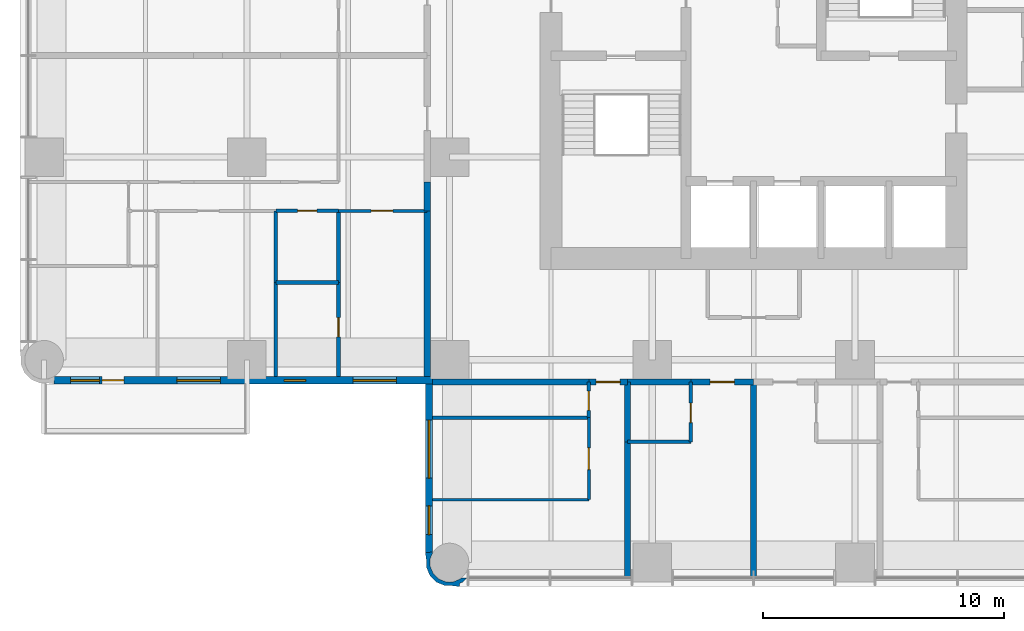
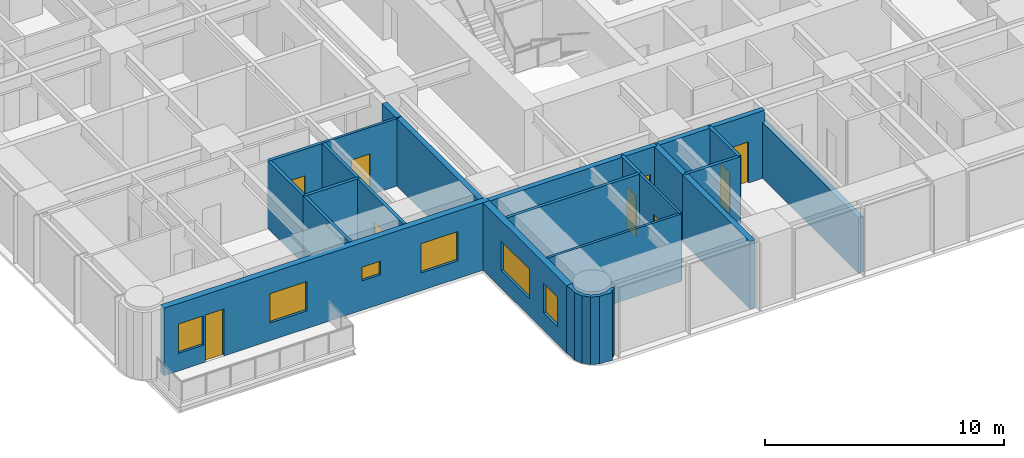
# One storey, part 6 of 14: 25 walls, 9 doors, 6 windows, 15 openings.
"""IFC4 building model written with IfcOpenShell, lengths in metres."""

from ifc_helpers import new_model, si_unit, direction, frame, frame_2d, origin, place, context, subcontext, project, spatial, polyline, rectangle, outline, extrude, material, layer, layer_set, type_object, element, fill, save


model = new_model("IFC4")

# Units and contexts
model_context = context("Model", 3, precision=1e-05, world=origin(), true_north=direction((0.0, 1.0)))
body_context = subcontext(model_context, "Body", "Model", "MODEL_VIEW")
ifc_project = project(units=[si_unit("LENGTHUNIT", "METRE"), si_unit("AREAUNIT", "SQUARE_METRE"), si_unit("VOLUMEUNIT", "CUBIC_METRE"), si_unit("PLANEANGLEUNIT", "RADIAN"), si_unit("MASSUNIT", "GRAM", prefix="KILO")], contexts=[model_context])

# Site, building, storey
site_placement = place(None, origin())
site = spatial("IfcSite", under=ifc_project, at=site_placement, CompositionType="ELEMENT")
building_placement = place(site_placement, origin())
building = spatial("IfcBuilding", under=site, at=building_placement, Name="Torre Alcanfor", CompositionType="ELEMENT")
storey_placement = place(building_placement, frame((0.0, 0.0, 155.699951171875)))
storey = spatial("IfcBuildingStorey", under=building, at=storey_placement, Name="L40", CompositionType="ELEMENT", Elevation=155.699951171875)

# Wall, opening, door
ifc_material_1 = material(Name="Concrete block masonry, hollow blocks NMX-C-404 9 MPa", Category="masonry")
ifc_layer_1 = layer(ifc_material_1, 0.25)
ifc_layer_set_1 = layer_set([ifc_layer_1], Name="Apartment entrance wall 250 EI 60")
wall_type_1 = type_object("IfcWallType", Name="Apartment entrance wall 250 EI 60", PredefinedType="PARTITIONING", material=ifc_layer_set_1)
wall_1_placement = place(storey_placement, frame((29.39990234375, 15.875, 0.0), z_axis=(0.0, 0.0, 1.0), x_axis=(-1.0, 0.0, 0.0)))
wall_1 = element("IfcWall", 1, at=wall_1_placement, inside=storey, type_object=wall_type_1, Name="Partition L40-CORR / L40-S2A-STUDIO", PredefinedType="PARTITIONING", context=body_context, shape_type="SweptSolid", body=[
    extrude(rectangle(XDim=2.599853515625, YDim=0.25, at=frame_2d((1.2998046875, 0.0))), origin(), (0.0, 0.0, 1.0), 3.449951171875),
])
opening_1_placement = place(wall_1_placement, frame((0.800048828125, 0.0, 0.0)))
opening_1 = element("IfcOpeningElement", 2, at=opening_1_placement, cuts=wall_1, Name="Opening D-A1", PredefinedType="OPENING", context=body_context, shape_type="SweptSolid", body=[
    extrude(rectangle(XDim=1.0, YDim=2.10009765625, at=frame_2d((0.5, 1.050048828125))), frame((0.0, 0.135009765625, 0.0), z_axis=(0.0, -1.0, 0.0), x_axis=(1.0, 0.0, 0.0)), (0.0, 0.0, 1.0), 0.27001953125),
])
ifc_material_2 = material(Name="Galvanised steel sheet ASTM A653", Category="steel")
door_type_1 = type_object("IfcDoorType", Name="Apartment entrance door FD60 1000x2100", OperationType="SINGLE_SWING_LEFT", PredefinedType="DOOR", material=ifc_material_2)
door_1_placement = place(opening_1_placement, origin())
door_1 = element("IfcDoor", 3, at=door_1_placement, inside=storey, type_object=door_type_1, Name="Apartment entrance L40-S2A", OperationType="SINGLE_SWING_LEFT", OverallHeight=2.10009765625, OverallWidth=1.0, PredefinedType="DOOR", context=body_context, shape_type="SweptSolid", body=[
    extrude(rectangle(XDim=1.0, YDim=2.10009765625, at=frame_2d((0.5, 1.050048828125))), frame((0.0, 0.02490234375, 0.0), z_axis=(0.0, -1.0, 0.0), x_axis=(1.0, 0.0, 0.0)), (0.0, 0.0, 1.0), 0.050048828125),
])
fill(opening_1, door_1)

# Wall
wall_2_placement = place(storey_placement, frame((26.800048828125, 15.875, 0.0), z_axis=(0.0, 0.0, 1.0), x_axis=(-1.0, 0.0, 0.0)))
element("IfcWall", 4, at=wall_2_placement, inside=storey, type_object=wall_type_1, Name="Partition L40-CORR / L40-S2A-BATH", PredefinedType="PARTITIONING", context=body_context, shape_type="SweptSolid", body=[
    extrude(rectangle(XDim=2.629150390625, YDim=0.25, at=frame_2d((1.314453125, 0.0))), origin(), (0.0, 0.0, 1.0), 3.449951171875),
])

# Wall, opening, door
wall_3_placement = place(storey_placement, frame((24.1708984375, 15.875, 0.0), z_axis=(0.0, 0.0, 1.0), x_axis=(-1.0, 0.0, 0.0)))
wall_3 = element("IfcWall", 5, at=wall_3_placement, inside=storey, type_object=wall_type_1, Name="Partition L40-CORR / L40-S2B-LIVING", PredefinedType="PARTITIONING", context=body_context, shape_type="SweptSolid", body=[
    extrude(rectangle(XDim=1.599853515625, YDim=0.25, at=frame_2d((0.7998046875, 0.0))), origin(), (0.0, 0.0, 1.0), 3.449951171875),
])
opening_2_placement = place(wall_3_placement, frame((0.300048828125, 0.0, 0.0)))
opening_2 = element("IfcOpeningElement", 6, at=opening_2_placement, cuts=wall_3, Name="Opening D-A1", PredefinedType="OPENING", context=body_context, shape_type="SweptSolid", body=[
    extrude(rectangle(XDim=1.0, YDim=2.10009765625, at=frame_2d((0.5, 1.050048828125))), frame((0.0, 0.135009765625, 0.0), z_axis=(0.0, -1.0, 0.0), x_axis=(1.0, 0.0, 0.0)), (0.0, 0.0, 1.0), 0.27001953125),
])
door_2_placement = place(opening_2_placement, origin())
door_2 = element("IfcDoor", 7, at=door_2_placement, inside=storey, type_object=door_type_1, Name="Apartment entrance L40-S2B", OperationType="SINGLE_SWING_LEFT", OverallHeight=2.10009765625, OverallWidth=1.0, PredefinedType="DOOR", context=body_context, shape_type="SweptSolid", body=[
    extrude(rectangle(XDim=1.0, YDim=2.10009765625, at=frame_2d((0.5, 1.050048828125))), frame((0.0, 0.02490234375, 0.0), z_axis=(0.0, -1.0, 0.0), x_axis=(1.0, 0.0, 0.0)), (0.0, 0.0, 1.0), 0.050048828125),
])
fill(opening_2, door_2)

# Walls
wall_4_placement = place(storey_placement, frame((22.571044921875, 15.875, 0.0), z_axis=(0.0, 0.0, 1.0), x_axis=(-1.0, 0.0, 0.0)))
element("IfcWall", 8, at=wall_4_placement, inside=storey, type_object=wall_type_1, Name="Partition L40-CORR / L40-S2B-BATH", PredefinedType="PARTITIONING", context=body_context, shape_type="SweptSolid", body=[
    extrude(rectangle(XDim=6.470947265625, YDim=0.25, at=frame_2d((3.2353515625, 0.0))), origin(), (0.0, 0.0, 1.0), 3.449951171875),
])
wall_5_placement = place(storey_placement, frame((15.875, 22.970947265625, 0.0), z_axis=(0.0, 0.0, 1.0), x_axis=(0.0, 1.0, 0.0)))
element("IfcWall", 9, at=wall_5_placement, inside=storey, type_object=wall_type_1, Name="Partition L40-CORR / L40-W1-HALL", PredefinedType="PARTITIONING", context=body_context, shape_type="SweptSolid", body=[
    extrude(rectangle(XDim=1.199951171875, YDim=0.25, at=frame_2d((0.60009765625, 0.0))), origin(), (0.0, 0.0, 1.0), 3.449951171875),
])
wall_6_placement = place(storey_placement, frame((15.875, 16.10009765625, 0.0), z_axis=(0.0, 0.0, 1.0), x_axis=(0.0, 1.0, 0.0)))
element("IfcWall", 10, at=wall_6_placement, inside=storey, type_object=wall_type_1, Name="Partition L40-CORR / L40-W1-SERV", PredefinedType="PARTITIONING", context=body_context, shape_type="SweptSolid", body=[
    extrude(rectangle(XDim=6.870849609375, YDim=0.25, at=frame_2d((3.435546875, 0.0))), origin(), (0.0, 0.0, 1.0), 3.449951171875),
])
ifc_material_3 = material(Name="Gypsum board on steel studs", Category="steel")
ifc_layer_2 = layer(ifc_material_3, 0.1201171875)
ifc_layer_set_2 = layer_set([ifc_layer_2], Name="Apartment partition 120")
wall_type_2 = type_object("IfcWallType", Name="Apartment partition 120", PredefinedType="PARTITIONING", material=ifc_layer_set_2)
wall_7_placement = place(storey_placement, frame((16.10009765625, 11.0, 0.0), z_axis=(0.0, 0.0, 1.0), x_axis=(1.0, 0.0, 0.0)))
element("IfcWall", 11, at=wall_7_placement, inside=storey, type_object=wall_type_2, Name="Partition L40-S2B-LIVING / L40-S2B-MASTER", PredefinedType="PARTITIONING", context=body_context, shape_type="SweptSolid", body=[
    extrude(rectangle(XDim=6.470947265625, YDim=0.1201171875, at=frame_2d((3.2353515625, 0.0))), origin(), (0.0, 0.0, 1.0), 3.449951171875),
])

# Wall, opening, door
wall_8_placement = place(storey_placement, frame((22.571044921875, 11.0, 0.0), z_axis=(0.0, 0.0, 1.0), x_axis=(0.0, 1.0, 0.0)))
wall_8 = element("IfcWall", 12, at=wall_8_placement, inside=storey, type_object=wall_type_2, Name="Partition L40-S2B-LIVING / L40-S2B-MASTER", PredefinedType="PARTITIONING", context=body_context, shape_type="SweptSolid", body=[
    extrude(rectangle(XDim=3.39990234375, YDim=0.1201171875, at=frame_2d((1.699951171875, 0.0))), origin(), (0.0, 0.0, 1.0), 3.449951171875),
])
opening_3_placement = place(wall_8_placement, frame((1.25, 0.0, 0.0)))
opening_3 = element("IfcOpeningElement", 13, at=opening_3_placement, cuts=wall_8, Name="Opening D-R1", PredefinedType="OPENING", context=body_context, shape_type="SweptSolid", body=[
    extrude(rectangle(XDim=0.89990234375, YDim=2.10009765625, at=frame_2d((0.449951171875, 1.050048828125))), frame((0.0, 0.070068359375, 0.0), z_axis=(0.0, -1.0, 0.0), x_axis=(1.0, 0.0, 0.0)), (0.0, 0.0, 1.0), 0.14013671875),
])
ifc_material_4 = material(Name="Timber", Category="wood")
door_type_2 = type_object("IfcDoorType", Name="Internal door 900x2100", OperationType="SINGLE_SWING_LEFT", PredefinedType="DOOR", material=ifc_material_4)
door_3_placement = place(opening_3_placement, origin())
door_3 = element("IfcDoor", 14, at=door_3_placement, inside=storey, type_object=door_type_2, Name="Door L40-S2B master", OperationType="SINGLE_SWING_LEFT", OverallHeight=2.10009765625, OverallWidth=0.89990234375, PredefinedType="DOOR", context=body_context, shape_type="SweptSolid", body=[
    extrude(rectangle(XDim=0.89990234375, YDim=2.10009765625, at=frame_2d((0.449951171875, 1.050048828125))), frame((0.0, 0.02490234375, 0.0), z_axis=(0.0, -1.0, 0.0), x_axis=(1.0, 0.0, 0.0)), (0.0, 0.0, 1.0), 0.050048828125),
])
fill(opening_3, door_3)

wall_9_placement = place(storey_placement, frame((12.199951171875, 22.970947265625, 0.0), z_axis=(0.0, 0.0, 1.0), x_axis=(1.0, 0.0, 0.0)))
wall_9 = element("IfcWall", 15, at=wall_9_placement, inside=storey, type_object=wall_type_2, Name="Partition L40-W1-HALL / L40-W1-SERV", PredefinedType="PARTITIONING", context=body_context, shape_type="SweptSolid", body=[
    extrude(rectangle(XDim=3.675048828125, YDim=0.1201171875, at=frame_2d((1.83740234375, 0.0))), origin(), (0.0, 0.0, 1.0), 3.449951171875),
])
opening_4_placement = place(wall_9_placement, frame((1.35009765625, 0.0, 0.0)))
opening_4 = element("IfcOpeningElement", 16, at=opening_4_placement, cuts=wall_9, Name="Opening D-R1", PredefinedType="OPENING", context=body_context, shape_type="SweptSolid", body=[
    extrude(rectangle(XDim=0.89990234375, YDim=2.10009765625, at=frame_2d((0.449951171875, 1.050048828125))), frame((0.0, 0.070068359375, 0.0), z_axis=(0.0, -1.0, 0.0), x_axis=(1.0, 0.0, 0.0)), (0.0, 0.0, 1.0), 0.14013671875),
])
door_4_placement = place(opening_4_placement, frame((0.89990234375, 0.0, 0.0), z_axis=(0.0, 0.0, 1.0), x_axis=(-1.0, 0.0, 0.0)))
door_4 = element("IfcDoor", 17, at=door_4_placement, inside=storey, type_object=door_type_2, Name="Door L40-W1 serv", OperationType="SINGLE_SWING_RIGHT", OverallHeight=2.10009765625, OverallWidth=0.89990234375, PredefinedType="DOOR", context=body_context, shape_type="SweptSolid", body=[
    extrude(rectangle(XDim=0.89990234375, YDim=2.10009765625, at=frame_2d((0.449951171875, 1.050048828125))), frame((0.0, 0.025146484375, 0.0), z_axis=(0.0, -1.0, 0.0), x_axis=(1.0, 0.0, 0.0)), (0.0, 0.0, 1.0), 0.050048828125),
])
fill(opening_4, door_4)

# Wall, openings, door, windows
ifc_material_5 = material(Name="Limestone cladding", Category="masonry")
ifc_layer_3 = layer(ifc_material_5, 0.0400390625, Name="Facing")
ifc_material_6 = material(Name="Ventilated air cavity")
ifc_layer_4 = layer(ifc_material_6, 0.02001953125, ventilated=True, Name="Ventilated joint")
ifc_material_7 = material(Name="Mineral wool insulation", Category="insulation")
ifc_layer_5 = layer(ifc_material_7, 0.10009765625, Name="Insulation")
ifc_material_8 = material(Name="Concrete f'c 35 MPa", Category="concrete")
ifc_layer_6 = layer(ifc_material_8, 0.139892578125, Name="Backing")
ifc_layer_set_3 = layer_set([ifc_layer_3, ifc_layer_4, ifc_layer_5, ifc_layer_6], Name="External wall stone-clad 300")
wall_type_3 = type_object("IfcWallType", Name="External wall stone-clad 300", PredefinedType="SOLIDWALL", material=ifc_layer_set_3)
wall_10_placement = place(storey_placement, frame((0.39990234375, 15.949951171875, 0.0), z_axis=(0.0, 0.0, 1.0), x_axis=(1.0, 0.0, 0.0)))
wall_10 = element("IfcWall", 18, at=wall_10_placement, inside=storey, type_object=wall_type_3, Name="External wall L40 3", PredefinedType="SOLIDWALL", context=body_context, shape_type="SweptSolid", body=[
    extrude(rectangle(XDim=15.7001953125, YDim=0.300048828125, at=frame_2d((7.85009765625, 0.0))), origin(), (0.0, 0.0, 1.0), 3.449951171875),
])
opening_5_placement = place(wall_10_placement, frame((12.39990234375, 0.0, 0.89990234375)))
opening_5 = element("IfcOpeningElement", 19, at=opening_5_placement, cuts=wall_10, Name="Opening W2", PredefinedType="OPENING", context=body_context, shape_type="SweptSolid", body=[
    extrude(rectangle(XDim=1.800048828125, YDim=1.5, at=frame_2d((0.89990234375, 0.75))), frame((0.0, 0.159912109375, 0.0), z_axis=(0.0, -1.0, 0.0), x_axis=(1.0, 0.0, 0.0)), (0.0, 0.0, 1.0), 0.320068359375),
])
opening_6_placement = place(wall_10_placement, frame((9.550048828125, 0.0, 1.5)))
opening_6 = element("IfcOpeningElement", 20, at=opening_6_placement, cuts=wall_10, Name="Opening W3", PredefinedType="OPENING", context=body_context, shape_type="SweptSolid", body=[
    extrude(rectangle(XDim=0.89990234375, YDim=0.699951171875, at=frame_2d((0.449951171875, 0.35009765625))), frame((0.0, 0.159912109375, 0.0), z_axis=(0.0, -1.0, 0.0), x_axis=(1.0, 0.0, 0.0)), (0.0, 0.0, 1.0), 0.320068359375),
])
opening_7_placement = place(wall_10_placement, frame((5.10009765625, 0.0, 0.89990234375)))
opening_7 = element("IfcOpeningElement", 21, at=opening_7_placement, cuts=wall_10, Name="Opening W2", PredefinedType="OPENING", context=body_context, shape_type="SweptSolid", body=[
    extrude(rectangle(XDim=1.800048828125, YDim=1.5, at=frame_2d((0.89990234375, 0.75))), frame((0.0, 0.159912109375, 0.0), z_axis=(0.0, -1.0, 0.0), x_axis=(1.0, 0.0, 0.0)), (0.0, 0.0, 1.0), 0.320068359375),
])
opening_8_placement = place(wall_10_placement, frame((2.0, 0.0, 0.0)))
opening_8 = element("IfcOpeningElement", 22, at=opening_8_placement, cuts=wall_10, Name="Opening D-B1", PredefinedType="OPENING", context=body_context, shape_type="SweptSolid", body=[
    extrude(rectangle(XDim=0.89990234375, YDim=2.39990234375, at=frame_2d((0.449951171875, 1.199951171875))), frame((0.0, 0.159912109375, 0.0), z_axis=(0.0, -1.0, 0.0), x_axis=(1.0, 0.0, 0.0)), (0.0, 0.0, 1.0), 0.320068359375),
])
opening_9_placement = place(wall_10_placement, frame((0.699951171875, 0.0, 0.89990234375)))
opening_9 = element("IfcOpeningElement", 23, at=opening_9_placement, cuts=wall_10, Name="Opening W4", PredefinedType="OPENING", context=body_context, shape_type="SweptSolid", body=[
    extrude(rectangle(XDim=1.199951171875, YDim=1.5, at=frame_2d((0.60009765625, 0.75))), frame((0.0, 0.159912109375, 0.0), z_axis=(0.0, -1.0, 0.0), x_axis=(1.0, 0.0, 0.0)), (0.0, 0.0, 1.0), 0.320068359375),
])
ifc_material_9 = material(Name="Aluminium and glass", Category="aluminium")
door_type_3 = type_object("IfcDoorType", Name="Balcony door glazed 900x2400", OperationType="SINGLE_SWING_LEFT", PredefinedType="DOOR", material=ifc_material_9)
door_5_placement = place(opening_8_placement, origin())
door_5 = element("IfcDoor", 24, at=door_5_placement, inside=storey, type_object=door_type_3, Name="Balcony door L40-W1", OperationType="SINGLE_SWING_RIGHT", OverallHeight=2.39990234375, OverallWidth=0.89990234375, PredefinedType="DOOR", context=body_context, shape_type="SweptSolid", body=[
    extrude(rectangle(XDim=0.89990234375, YDim=2.39990234375, at=frame_2d((0.449951171875, 1.199951171875))), frame((0.0, 0.02490234375, 0.0), z_axis=(0.0, -1.0, 0.0), x_axis=(1.0, 0.0, 0.0)), (0.0, 0.0, 1.0), 0.050048828125),
])
fill(opening_8, door_5)
ifc_material_10 = material(Name="Aluminium frame with clear double glazing", Category="aluminium")
window_type_1 = type_object("IfcWindowType", Name="Window bathroom 900x700", PartitioningType="SINGLE_PANEL", PredefinedType="WINDOW", material=ifc_material_10)
window_1_placement = place(opening_6_placement, origin())
window_1 = element("IfcWindow", 25, at=window_1_placement, inside=storey, type_object=window_type_1, Name="Window W3 L40-W1", OverallHeight=0.699951171875, OverallWidth=0.89990234375, PartitioningType="SINGLE_PANEL", PredefinedType="WINDOW", context=body_context, shape_type="SweptSolid", body=[
    extrude(rectangle(XDim=0.89990234375, YDim=0.699951171875, at=frame_2d((0.449951171875, 0.35009765625))), frame((0.0, 0.030029296875, 0.0), z_axis=(0.0, -1.0, 0.0), x_axis=(1.0, 0.0, 0.0)), (0.0, 0.0, 1.0), 0.06005859375),
])
fill(opening_6, window_1)
ifc_material_11 = material(Name="Aluminium frame with clear double glazing", Category="aluminium")
window_type_2 = type_object("IfcWindowType", Name="Window bedroom 1200x1500", PartitioningType="SINGLE_PANEL", PredefinedType="WINDOW", material=ifc_material_11)
window_2_placement = place(opening_9_placement, origin())
window_2 = element("IfcWindow", 26, at=window_2_placement, inside=storey, type_object=window_type_2, Name="Window W4 L40-W1", OverallHeight=1.5, OverallWidth=1.199951171875, PartitioningType="SINGLE_PANEL", PredefinedType="WINDOW", context=body_context, shape_type="SweptSolid", body=[
    extrude(rectangle(XDim=1.199951171875, YDim=1.5, at=frame_2d((0.60009765625, 0.75))), frame((0.0, 0.030029296875, 0.0), z_axis=(0.0, -1.0, 0.0), x_axis=(1.0, 0.0, 0.0)), (0.0, 0.0, 1.0), 0.06005859375),
])
fill(opening_9, window_2)
ifc_material_12 = material(Name="Aluminium frame with clear double glazing", Category="aluminium")
window_type_3 = type_object("IfcWindowType", Name="Window bedroom 1800x1500", PartitioningType="SINGLE_PANEL", PredefinedType="WINDOW", material=ifc_material_12)
window_3_placement = place(opening_5_placement, origin())
window_3 = element("IfcWindow", 27, at=window_3_placement, inside=storey, type_object=window_type_3, Name="Window W2 L40-W1", OverallHeight=1.5, OverallWidth=1.800048828125, PartitioningType="SINGLE_PANEL", PredefinedType="WINDOW", context=body_context, shape_type="SweptSolid", body=[
    extrude(rectangle(XDim=1.800048828125, YDim=1.5, at=frame_2d((0.89990234375, 0.75))), frame((0.0, 0.030029296875, 0.0), z_axis=(0.0, -1.0, 0.0), x_axis=(1.0, 0.0, 0.0)), (0.0, 0.0, 1.0), 0.06005859375),
])
fill(opening_5, window_3)
window_4_placement = place(opening_7_placement, origin())
window_4 = element("IfcWindow", 28, at=window_4_placement, inside=storey, type_object=window_type_3, Name="Window W2 L40-W1", OverallHeight=1.5, OverallWidth=1.800048828125, PartitioningType="SINGLE_PANEL", PredefinedType="WINDOW", context=body_context, shape_type="SweptSolid", body=[
    extrude(rectangle(XDim=1.800048828125, YDim=1.5, at=frame_2d((0.89990234375, 0.75))), frame((0.0, 0.030029296875, 0.0), z_axis=(0.0, -1.0, 0.0), x_axis=(1.0, 0.0, 0.0)), (0.0, 0.0, 1.0), 0.06005859375),
])
fill(opening_7, window_4)

# Wall, openings, windows
wall_11_placement = place(storey_placement, frame((15.949951171875, 15.800048828125, 0.0), z_axis=(0.0, 0.0, 1.0), x_axis=(0.0, -1.0, 0.0)))
wall_11 = element("IfcWall", 29, at=wall_11_placement, inside=storey, type_object=wall_type_3, Name="External wall L40 4", PredefinedType="SOLIDWALL", context=body_context, shape_type="SweptSolid", body=[
    extrude(rectangle(XDim=7.0, YDim=0.300048828125, at=frame_2d((3.5, 0.0))), origin(), (0.0, 0.0, 1.0), 3.449951171875),
])
opening_10_placement = place(wall_11_placement, frame((1.5, 0.0, 0.89990234375)))
opening_10 = element("IfcOpeningElement", 30, at=opening_10_placement, cuts=wall_11, Name="Opening W1", PredefinedType="OPENING", context=body_context, shape_type="SweptSolid", body=[
    extrude(rectangle(XDim=2.39990234375, YDim=1.5, at=frame_2d((1.199951171875, 0.75))), frame((0.0, 0.159912109375, 0.0), z_axis=(0.0, -1.0, 0.0), x_axis=(1.0, 0.0, 0.0)), (0.0, 0.0, 1.0), 0.320068359375),
])
opening_11_placement = place(wall_11_placement, frame((5.050048828125, 0.0, 0.89990234375)))
opening_11 = element("IfcOpeningElement", 31, at=opening_11_placement, cuts=wall_11, Name="Opening W4", PredefinedType="OPENING", context=body_context, shape_type="SweptSolid", body=[
    extrude(rectangle(XDim=1.199951171875, YDim=1.5, at=frame_2d((0.60009765625, 0.75))), frame((0.0, 0.159912109375, 0.0), z_axis=(0.0, -1.0, 0.0), x_axis=(1.0, 0.0, 0.0)), (0.0, 0.0, 1.0), 0.320068359375),
])
window_5_placement = place(opening_11_placement, origin())
window_5 = element("IfcWindow", 32, at=window_5_placement, inside=storey, type_object=window_type_2, Name="Window W4 L40-S2", OverallHeight=1.5, OverallWidth=1.199951171875, PartitioningType="SINGLE_PANEL", PredefinedType="WINDOW", context=body_context, shape_type="SweptSolid", body=[
    extrude(rectangle(XDim=1.199951171875, YDim=1.5, at=frame_2d((0.60009765625, 0.75))), frame((0.0, 0.030029296875, 0.0), z_axis=(0.0, -1.0, 0.0), x_axis=(1.0, 0.0, 0.0)), (0.0, 0.0, 1.0), 0.06005859375),
])
fill(opening_11, window_5)
ifc_material_13 = material(Name="Aluminium frame with clear double glazing", Category="aluminium")
window_type_4 = type_object("IfcWindowType", Name="Window bedroom 2400x1500", PartitioningType="SINGLE_PANEL", PredefinedType="WINDOW", material=ifc_material_13)
window_6_placement = place(opening_10_placement, origin())
window_6 = element("IfcWindow", 33, at=window_6_placement, inside=storey, type_object=window_type_4, Name="Window W1 L40-S2", OverallHeight=1.5, OverallWidth=2.39990234375, PartitioningType="SINGLE_PANEL", PredefinedType="WINDOW", context=body_context, shape_type="SweptSolid", body=[
    extrude(rectangle(XDim=2.39990234375, YDim=1.5, at=frame_2d((1.199951171875, 0.75))), frame((0.0, 0.030029296875, 0.0), z_axis=(0.0, -1.0, 0.0), x_axis=(1.0, 0.0, 0.0)), (0.0, 0.0, 1.0), 0.06005859375),
])
fill(opening_10, window_6)

# Walls
ifc_material_14 = material(Name="Concrete block masonry, hollow blocks NMX-C-404 9 MPa", Category="masonry")
ifc_layer_7 = layer(ifc_material_14, 0.25)
ifc_layer_set_4 = layer_set([ifc_layer_7], Name="Party wall 250 EI 60")
wall_type_4 = type_object("IfcWallType", Name="Party wall 250 EI 60", PredefinedType="PARTITIONING", material=ifc_layer_set_4)
wall_12_placement = place(storey_placement, frame((29.39990234375, 7.75, 0.0), z_axis=(0.0, 0.0, 1.0), x_axis=(0.0, 1.0, 0.0)))
element("IfcWall", 34, at=wall_12_placement, inside=storey, type_object=wall_type_4, Name="Partition L40-S1A-STUDIO / L40-S2A-STUDIO", PredefinedType="PARTITIONING", context=body_context, shape_type="SweptSolid", body=[
    extrude(rectangle(XDim=8.125, YDim=0.25, at=frame_2d((4.0625, 0.0))), origin(), (0.0, 0.0, 1.0), 2.84814453125),
])
wall_13_placement = place(storey_placement, frame((24.1708984375, 7.75, 0.0), z_axis=(0.0, 0.0, 1.0), x_axis=(0.0, 1.0, 0.0)))
element("IfcWall", 35, at=wall_13_placement, inside=storey, type_object=wall_type_4, Name="Partition L40-S2A-STUDIO / L40-S2B-LIVING", PredefinedType="PARTITIONING", context=body_context, shape_type="SweptSolid", body=[
    extrude(rectangle(XDim=5.64990234375, YDim=0.25, at=frame_2d((2.824951171875, 0.0))), origin(), (0.0, 0.0, 1.0), 3.449951171875),
])
wall_14_placement = place(storey_placement, frame((24.1708984375, 13.39990234375, 0.0), z_axis=(0.0, 0.0, 1.0), x_axis=(0.0, 1.0, 0.0)))
element("IfcWall", 36, at=wall_14_placement, inside=storey, type_object=wall_type_4, Name="Partition L40-S2A-BATH / L40-S2B-LIVING", PredefinedType="PARTITIONING", context=body_context, shape_type="SweptSolid", body=[
    extrude(rectangle(XDim=2.47509765625, YDim=0.25, at=frame_2d((1.237548828125, 0.0))), origin(), (0.0, 0.0, 1.0), 3.449951171875),
])
ifc_layer_8 = layer(ifc_material_5, 0.0400390625, Name="Facing")
ifc_layer_9 = layer(ifc_material_6, 0.02001953125, ventilated=True, Name="Ventilated joint")
ifc_layer_10 = layer(ifc_material_7, 0.10009765625, Name="Insulation")
ifc_layer_11 = layer(ifc_material_8, 0.139892578125, Name="Backing")
ifc_layer_set_5 = layer_set([ifc_layer_8, ifc_layer_9, ifc_layer_10, ifc_layer_11], Name="Rounded corner pier stone-clad 300")
wall_type_5 = type_object("IfcWallType", Name="Rounded corner pier stone-clad 300", PredefinedType="SOLIDWALL", material=ifc_layer_set_5)
wall_15_placement = place(storey_placement, frame((15.982940512, 8.726823795, 0.0), z_axis=(0.0, 0.0, 1.0), x_axis=(-0.343276641956, -0.93923434088, 0.0)))
element("IfcWall", 37, at=wall_15_placement, inside=storey, type_object=wall_type_5, Name="Corner pier L40 15", PredefinedType="SOLIDWALL", context=body_context, shape_type="SweptSolid", body=[
    extrude(outline(polyline([(0.8285188621172053, 1.5985593448955209), (0.6965961152022397, 1.5690588556644411), (0.6041961706613557, 1.669674810951586), (0.3940973255728224, 1.767303623446145), (0.47128428534856764, 1.55611347990365), (0.5085447362659081, 1.5387992791780876), (0.7240402358503313, 1.3040772160031127), (0.8334093808094493, 1.0048338530031606), (0.8200582319080854, 0.6864716314609828), (0.6857640531711582, 0.3974683020769049), (0.4510419899961833, 0.18197280249248177), (0.15179862699623123, 0.07260365753336384), (-0.11622928371084919, 0.08407628105020303), (-0.1273371975026375, 0.0781969477675098), (-0.14614022874094865, 0.07132471030647711), (-0.0059930226407584886, -0.19691459363495123), (0.26574754989690047, -0.054967852634112954), (0.535410534485363, 0.043590089489965705), (0.8166395849446566, 0.30181686768145743), (0.9775598034528271, 0.6481198820896807), (0.9938114202888776, 1.0296668379252687), (0.8951696703908839, 1.299559127772735), (0.8285188621172053, 1.5985593448955209)])), origin(), (0.0, 0.0, 1.0), 3.449951171875),
])
ifc_material_15 = material(Name="Cement board on steel studs", Category="steel")
ifc_layer_12 = layer(ifc_material_15, 0.14990234375)
ifc_layer_set_6 = layer_set([ifc_layer_12], Name="Wet area partition 150")
wall_type_6 = type_object("IfcWallType", Name="Wet area partition 150", PredefinedType="PARTITIONING", material=ifc_layer_set_6)
wall_16_placement = place(storey_placement, frame((24.1708984375, 13.39990234375, 0.0), z_axis=(0.0, 0.0, 1.0), x_axis=(1.0, 0.0, 0.0)))
element("IfcWall", 38, at=wall_16_placement, inside=storey, type_object=wall_type_6, Name="Partition L40-S2A-STUDIO / L40-S2A-BATH", PredefinedType="PARTITIONING", context=body_context, shape_type="SweptSolid", body=[
    extrude(rectangle(XDim=2.629150390625, YDim=0.14990234375, at=frame_2d((1.314453125, 0.0))), origin(), (0.0, 0.0, 1.0), 3.449951171875),
])

# Wall, opening, door
wall_17_placement = place(storey_placement, frame((26.800048828125, 13.39990234375, 0.0), z_axis=(0.0, 0.0, 1.0), x_axis=(0.0, 1.0, 0.0)))
wall_17 = element("IfcWall", 39, at=wall_17_placement, inside=storey, type_object=wall_type_6, Name="Partition L40-S2A-STUDIO / L40-S2A-BATH", PredefinedType="PARTITIONING", context=body_context, shape_type="SweptSolid", body=[
    extrude(rectangle(XDim=2.47509765625, YDim=0.14990234375, at=frame_2d((1.237548828125, 0.0))), origin(), (0.0, 0.0, 1.0), 3.449951171875),
])
opening_12_placement = place(wall_17_placement, frame((0.800048828125, 0.0, 0.0)))
opening_12 = element("IfcOpeningElement", 40, at=opening_12_placement, cuts=wall_17, Name="Opening D-R2", PredefinedType="OPENING", context=body_context, shape_type="SweptSolid", body=[
    extrude(rectangle(XDim=0.800048828125, YDim=2.10009765625, at=frame_2d((0.39990234375, 1.050048828125))), frame((0.0, 0.0849609375, 0.0), z_axis=(0.0, -1.0, 0.0), x_axis=(1.0, 0.0, 0.0)), (0.0, 0.0, 1.0), 0.169921875),
])
ifc_material_16 = material(Name="Timber", Category="wood")
door_type_4 = type_object("IfcDoorType", Name="Bathroom door 800x2100", OperationType="SINGLE_SWING_LEFT", PredefinedType="DOOR", material=ifc_material_16)
door_6_placement = place(opening_12_placement, origin())
door_6 = element("IfcDoor", 41, at=door_6_placement, inside=storey, type_object=door_type_4, Name="Door L40-S2A bath", OperationType="SINGLE_SWING_LEFT", OverallHeight=2.10009765625, OverallWidth=0.800048828125, PredefinedType="DOOR", context=body_context, shape_type="SweptSolid", body=[
    extrude(rectangle(XDim=0.800048828125, YDim=2.10009765625, at=frame_2d((0.39990234375, 1.050048828125))), frame((0.0, 0.02490234375, 0.0), z_axis=(0.0, -1.0, 0.0), x_axis=(1.0, 0.0, 0.0)), (0.0, 0.0, 1.0), 0.050048828125),
])
fill(opening_12, door_6)

wall_18_placement = place(storey_placement, frame((22.571044921875, 14.39990234375, 0.0), z_axis=(0.0, 0.0, 1.0), x_axis=(0.0, 1.0, 0.0)))
wall_18 = element("IfcWall", 42, at=wall_18_placement, inside=storey, type_object=wall_type_6, Name="Partition L40-S2B-LIVING / L40-S2B-BATH", PredefinedType="PARTITIONING", context=body_context, shape_type="SweptSolid", body=[
    extrude(rectangle(XDim=1.47509765625, YDim=0.14990234375, at=frame_2d((0.737548828125, 0.0))), origin(), (0.0, 0.0, 1.0), 3.449951171875),
])
opening_13_placement = place(wall_18_placement, frame((0.300048828125, 0.0, 0.0)))
opening_13 = element("IfcOpeningElement", 43, at=opening_13_placement, cuts=wall_18, Name="Opening D-R2", PredefinedType="OPENING", context=body_context, shape_type="SweptSolid", body=[
    extrude(rectangle(XDim=0.800048828125, YDim=2.10009765625, at=frame_2d((0.39990234375, 1.050048828125))), frame((0.0, 0.0849609375, 0.0), z_axis=(0.0, -1.0, 0.0), x_axis=(1.0, 0.0, 0.0)), (0.0, 0.0, 1.0), 0.169921875),
])
door_7_placement = place(opening_13_placement, origin())
door_7 = element("IfcDoor", 44, at=door_7_placement, inside=storey, type_object=door_type_4, Name="Door L40-S2B bath", OperationType="SINGLE_SWING_LEFT", OverallHeight=2.10009765625, OverallWidth=0.800048828125, PredefinedType="DOOR", context=body_context, shape_type="SweptSolid", body=[
    extrude(rectangle(XDim=0.800048828125, YDim=2.10009765625, at=frame_2d((0.39990234375, 1.050048828125))), frame((0.0, 0.02490234375, 0.0), z_axis=(0.0, -1.0, 0.0), x_axis=(1.0, 0.0, 0.0)), (0.0, 0.0, 1.0), 0.050048828125),
])
fill(opening_13, door_7)

# Wall
wall_19_placement = place(storey_placement, frame((22.571044921875, 14.39990234375, 0.0), z_axis=(0.0, 0.0, 1.0), x_axis=(-1.0, 0.0, 0.0)))
element("IfcWall", 45, at=wall_19_placement, inside=storey, type_object=wall_type_6, Name="Partition L40-S2B-BATH / L40-S2B-MASTER", PredefinedType="PARTITIONING", context=body_context, shape_type="SweptSolid", body=[
    extrude(rectangle(XDim=6.470947265625, YDim=0.14990234375, at=frame_2d((3.2353515625, 0.0))), origin(), (0.0, 0.0, 1.0), 3.449951171875),
])

# Wall, opening, door
wall_20_placement = place(storey_placement, frame((9.60009765625, 22.970947265625, 0.0), z_axis=(0.0, 0.0, 1.0), x_axis=(1.0, 0.0, 0.0)))
wall_20 = element("IfcWall", 46, at=wall_20_placement, inside=storey, type_object=wall_type_6, Name="Partition L40-W1-HALL / L40-W1-BATH1", PredefinedType="PARTITIONING", context=body_context, shape_type="SweptSolid", body=[
    extrude(rectangle(XDim=2.599853515625, YDim=0.14990234375, at=frame_2d((1.2998046875, 0.0))), origin(), (0.0, 0.0, 1.0), 3.449951171875),
])
opening_14_placement = place(wall_20_placement, frame((0.89990234375, 0.0, 0.0)))
opening_14 = element("IfcOpeningElement", 47, at=opening_14_placement, cuts=wall_20, Name="Opening D-R2", PredefinedType="OPENING", context=body_context, shape_type="SweptSolid", body=[
    extrude(rectangle(XDim=0.800048828125, YDim=2.10009765625, at=frame_2d((0.39990234375, 1.050048828125))), frame((0.0, 0.0849609375, 0.0), z_axis=(0.0, -1.0, 0.0), x_axis=(1.0, 0.0, 0.0)), (0.0, 0.0, 1.0), 0.169921875),
])
door_8_placement = place(opening_14_placement, frame((0.800048828125, 0.0, 0.0), z_axis=(0.0, 0.0, 1.0), x_axis=(-1.0, 0.0, 0.0)))
door_8 = element("IfcDoor", 48, at=door_8_placement, inside=storey, type_object=door_type_4, Name="Door L40-W1 bath1", OperationType="SINGLE_SWING_RIGHT", OverallHeight=2.10009765625, OverallWidth=0.800048828125, PredefinedType="DOOR", context=body_context, shape_type="SweptSolid", body=[
    extrude(rectangle(XDim=0.800048828125, YDim=2.10009765625, at=frame_2d((0.400146484375, 1.050048828125))), frame((0.0, 0.025146484375, 0.0), z_axis=(0.0, -1.0, 0.0), x_axis=(1.0, 0.0, 0.0)), (0.0, 0.0, 1.0), 0.050048828125),
])
fill(opening_14, door_8)

# Wall
wall_21_placement = place(storey_placement, frame((12.199951171875, 22.970947265625, 0.0), z_axis=(0.0, 0.0, 1.0), x_axis=(0.0, -1.0, 0.0)))
element("IfcWall", 49, at=wall_21_placement, inside=storey, type_object=wall_type_6, Name="Partition L40-W1-SERV / L40-W1-BATH1", PredefinedType="PARTITIONING", context=body_context, shape_type="SweptSolid", body=[
    extrude(rectangle(XDim=2.970947265625, YDim=0.14990234375, at=frame_2d((1.4853515625, 0.0))), origin(), (0.0, 0.0, 1.0), 3.449951171875),
])

# Wall, opening, door
wall_22_placement = place(storey_placement, frame((12.199951171875, 20.0, 0.0), z_axis=(0.0, 0.0, 1.0), x_axis=(0.0, -1.0, 0.0)))
wall_22 = element("IfcWall", 50, at=wall_22_placement, inside=storey, type_object=wall_type_6, Name="Partition L40-W1-SERV / L40-W1-SBATH", PredefinedType="PARTITIONING", context=body_context, shape_type="SweptSolid", body=[
    extrude(rectangle(XDim=3.89990234375, YDim=0.14990234375, at=frame_2d((1.949951171875, 0.0))), origin(), (0.0, 0.0, 1.0), 3.449951171875),
])
opening_15_placement = place(wall_22_placement, frame((1.449951171875, 0.0, 0.0)))
opening_15 = element("IfcOpeningElement", 51, at=opening_15_placement, cuts=wall_22, Name="Opening D-R2", PredefinedType="OPENING", context=body_context, shape_type="SweptSolid", body=[
    extrude(rectangle(XDim=0.800048828125, YDim=2.10009765625, at=frame_2d((0.39990234375, 1.050048828125))), frame((0.0, 0.0849609375, 0.0), z_axis=(0.0, -1.0, 0.0), x_axis=(1.0, 0.0, 0.0)), (0.0, 0.0, 1.0), 0.169921875),
])
door_9_placement = place(opening_15_placement, frame((0.800048828125, 0.0, 0.0), z_axis=(0.0, 0.0, 1.0), x_axis=(-1.0, 0.0, 0.0)))
door_9 = element("IfcDoor", 52, at=door_9_placement, inside=storey, type_object=door_type_4, Name="Door L40-W1 sbath", OperationType="SINGLE_SWING_RIGHT", OverallHeight=2.10009765625, OverallWidth=0.800048828125, PredefinedType="DOOR", context=body_context, shape_type="SweptSolid", body=[
    extrude(rectangle(XDim=0.800048828125, YDim=2.10009765625, at=frame_2d((0.400146484375, 1.050048828125))), frame((0.0, 0.025146484375, 0.0), z_axis=(0.0, -1.0, 0.0), x_axis=(1.0, 0.0, 0.0)), (0.0, 0.0, 1.0), 0.050048828125),
])
fill(opening_15, door_9)

# Walls
wall_23_placement = place(storey_placement, frame((9.60009765625, 20.0, 0.0), z_axis=(0.0, 0.0, 1.0), x_axis=(1.0, 0.0, 0.0)))
element("IfcWall", 53, at=wall_23_placement, inside=storey, type_object=wall_type_6, Name="Partition L40-W1-BATH1 / L40-W1-SBATH", PredefinedType="PARTITIONING", context=body_context, shape_type="SweptSolid", body=[
    extrude(rectangle(XDim=2.599853515625, YDim=0.14990234375, at=frame_2d((1.2998046875, 0.0))), origin(), (0.0, 0.0, 1.0), 3.449951171875),
])
wall_24_placement = place(storey_placement, frame((9.60009765625, 22.970947265625, 0.0), z_axis=(0.0, 0.0, 1.0), x_axis=(0.0, -1.0, 0.0)))
element("IfcWall", 54, at=wall_24_placement, inside=storey, type_object=wall_type_6, Name="Partition L40-W1-BATH1 / L40-W1-BED3", PredefinedType="PARTITIONING", context=body_context, shape_type="SweptSolid", body=[
    extrude(rectangle(XDim=2.970947265625, YDim=0.14990234375, at=frame_2d((1.4853515625, 0.0))), origin(), (0.0, 0.0, 1.0), 3.449951171875),
])
wall_25_placement = place(storey_placement, frame((9.60009765625, 20.0, 0.0), z_axis=(0.0, 0.0, 1.0), x_axis=(0.0, -1.0, 0.0)))
element("IfcWall", 55, at=wall_25_placement, inside=storey, type_object=wall_type_6, Name="Partition L40-W1-SBATH / L40-W1-BED3", PredefinedType="PARTITIONING", context=body_context, shape_type="SweptSolid", body=[
    extrude(rectangle(XDim=3.89990234375, YDim=0.14990234375, at=frame_2d((1.949951171875, 0.0))), origin(), (0.0, 0.0, 1.0), 3.449951171875),
])

save(model, "model.ifc")
